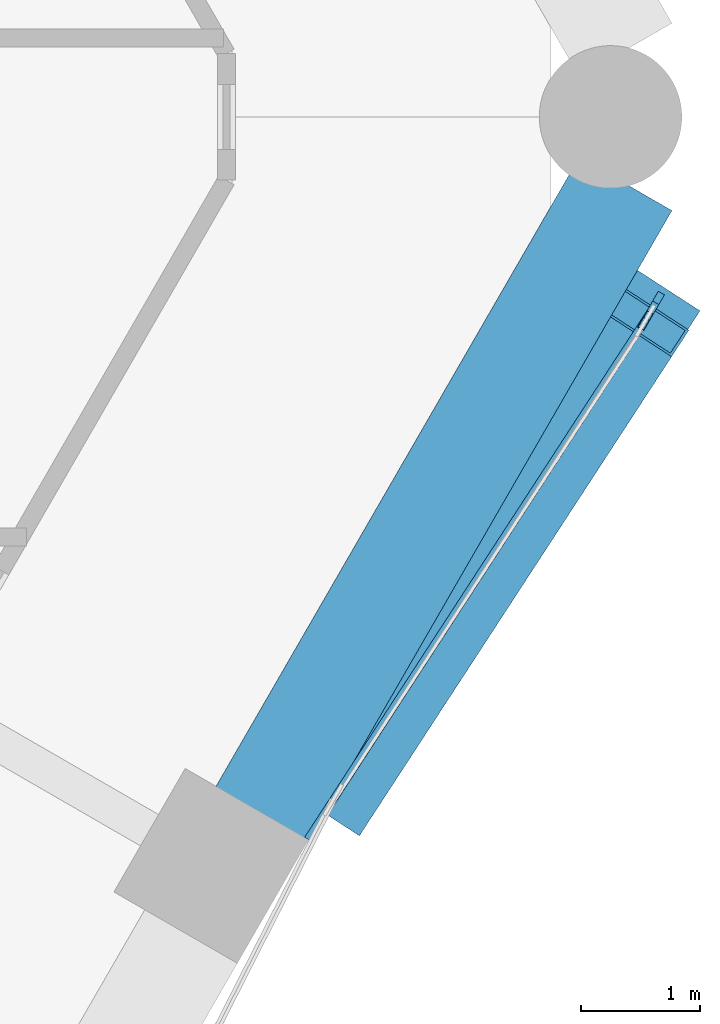
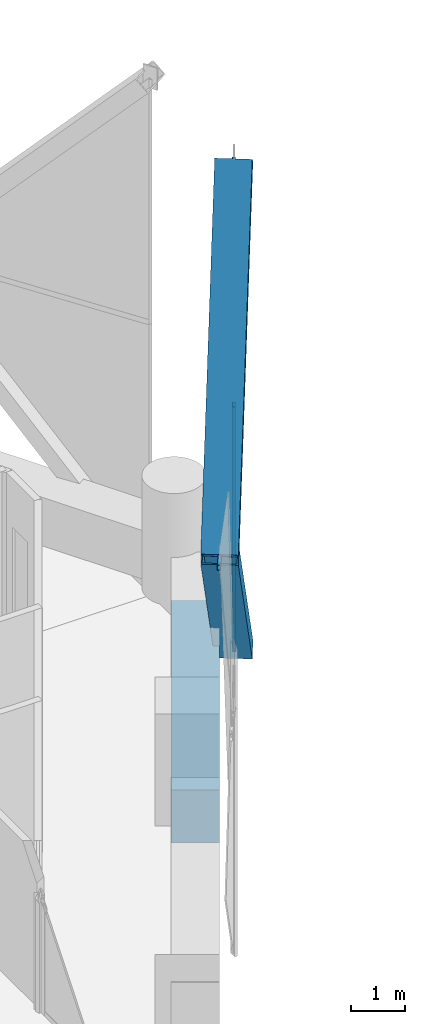
# One storey, part 15 of 38: 5 members, 1 beam, 2 elements without a shape of their own.
"""IFC4 building model written with IfcOpenShell, lengths in metres."""

from ifc_helpers import new_model, si_unit, direction, frame, origin, origin_2d, place, context, subcontext, project, spatial, rectangle, hollow_rectangle, extrude, material, material_profile, profile_set, type_object, element, aggregate, save


model = new_model("IFC4")

# Units and contexts
model_context = context("Model", 3, precision=1e-05, world=origin(), true_north=direction((0.0, 1.0)))
body_context = subcontext(model_context, "Body", "Model", "MODEL_VIEW")
ifc_project = project(units=[si_unit("LENGTHUNIT", "METRE"), si_unit("AREAUNIT", "SQUARE_METRE"), si_unit("VOLUMEUNIT", "CUBIC_METRE"), si_unit("PLANEANGLEUNIT", "RADIAN"), si_unit("MASSUNIT", "GRAM", prefix="KILO")], contexts=[model_context])

# Site, building, storey
site_placement = place(None, origin())
site = spatial("IfcSite", under=ifc_project, at=site_placement, CompositionType="ELEMENT")
building_placement = place(site_placement, origin())
building = spatial("IfcBuilding", under=site, at=building_placement, Name="Ostrander Bayou Hotel Tower", CompositionType="ELEMENT")
storey_placement = place(building_placement, frame((0.0, 0.0, 96.75)))
storey = spatial("IfcBuildingStorey", under=building, at=storey_placement, Name="L24", CompositionType="ELEMENT", Elevation=96.75)

# Curtain wall, members
ifc_material_1 = material(Name="Aluminium and clear glass", Category="aluminium")
curtain_wall_type = type_object("IfcCurtainWallType", Name="CW-LAT lattice glazing", PredefinedType="NOTDEFINED", material=ifc_material_1)
curtain_wall_1_placement = place(storey_placement, origin())
curtain_wall_1 = element("IfcCurtainWall", 1, at=curtain_wall_1_placement, inside=storey, type_object=curtain_wall_type, Name="CW-LAT L24 SE 1", PredefinedType="NOTDEFINED")
ifc_material_2 = material(Name="Aluminium", Category="aluminium")
ifc_material_profile_1 = material_profile(ifc_material_2, hollow_rectangle(XDim=0.06005859375, YDim=0.159912109375, WallThickness=0.00390625, at=origin_2d()))
ifc_profile_set_1 = profile_set([ifc_material_profile_1], Name="Aluminium")
member_type_1 = type_object("IfcMemberType", Name="CW-LA mullion 60 x 160 mm", PredefinedType="MULLION", material=ifc_profile_set_1)
member_1_placement = place(storey_placement, frame((22.761962890625, -1.715087890625, -0.60009765625), z_axis=(-0.008418945283, -0.014581266058, 0.999858243973), x_axis=(0.866013897511, -0.50001992892, 0.0)))
member_1 = element("IfcMember", 2, at=member_1_placement, type_object=member_type_1, Name="CW-LAT mullion 5", PredefinedType="MULLION", context=body_context, shape_type="SweptSolid", body=[
    extrude(hollow_rectangle(XDim=0.06005859375, YDim=0.159912109375, WallThickness=0.00390625, at=origin_2d()), origin(), (0.0, 0.0, 1.0), 5.625732421875),
])
member_2_placement = place(storey_placement, frame((22.714599609375, -1.797119140625, 5.02490234375), z_axis=(-0.008375557002, -0.014537883916, 0.999859240081), x_axis=(0.866486855147, -0.499199889682, 0.0)))
member_2 = element("IfcMember", 3, at=member_2_placement, type_object=member_type_1, Name="CW-LAT mullion 6", PredefinedType="MULLION", context=body_context, shape_type="SweptSolid", body=[
    extrude(hollow_rectangle(XDim=0.06005859375, YDim=0.159912109375, WallThickness=0.00390625, at=origin_2d()), origin(), (0.0, 0.0, 1.0), 5.625732421875),
])
aggregate(curtain_wall_1, [member_1, member_2])

# Curtain wall, member
curtain_wall_2_placement = place(storey_placement, origin())
curtain_wall_2 = element("IfcCurtainWall", 4, at=curtain_wall_2_placement, inside=storey, type_object=curtain_wall_type, Name="CW-LAT L24 SE 2", PredefinedType="NOTDEFINED")
ifc_material_3 = material(Name="Aluminium", Category="aluminium")
ifc_material_profile_2 = material_profile(ifc_material_3, hollow_rectangle(XDim=0.06005859375, YDim=0.1201171875, WallThickness=0.00390625, at=origin_2d()))
ifc_profile_set_2 = profile_set([ifc_material_profile_2], Name="Aluminium")
member_type_2 = type_object("IfcMemberType", Name="CW-LA transom 60 x 120 mm", PredefinedType="USERDEFINED", material=ifc_profile_set_2)
member_3_placement = place(storey_placement, frame((22.714599609375, -1.797119140625, 5.02490234375), z_axis=(-0.545056332293, -0.838399424276, 0.0), x_axis=(0.838399424276, -0.545056332293, 0.0)))
member_3 = element("IfcMember", 5, at=member_3_placement, type_object=member_type_2, Name="CW-LAT transom 7", ObjectType="TRANSOM", PredefinedType="USERDEFINED", context=body_context, shape_type="SweptSolid", body=[
    extrude(hollow_rectangle(XDim=0.06005859375, YDim=0.1201171875, WallThickness=0.00390625, at=origin_2d()), origin(), (0.0, 0.0, 1.0), 5.301513671875),
])
aggregate(curtain_wall_2, [member_3])

# Members
ifc_material_4 = material(Name="Steel ASTM A572 Gr 50", Category="steel")
ifc_material_profile_3 = material_profile(ifc_material_4, hollow_rectangle(XDim=0.699951171875, YDim=0.35009765625, WallThickness=0.02490234375, at=origin_2d()))
ifc_profile_set_3 = profile_set([ifc_material_profile_3], Name="Steel ASTM A572 Gr 50")
member_type_3 = type_object("IfcMemberType", Name="LT1 lattice member box 700 x 350 x 25 mm", PredefinedType="BRACE", material=ifc_profile_set_3)
member_4_placement = place(storey_placement, frame((20.039794921875, -5.911376953125, 5.02490234375), z_axis=(0.361641212677, 0.557478848743, -0.747283725567), x_axis=(-0.838938399755, 0.544226388019, 0.0)))
element("IfcMember", 6, at=member_4_placement, inside=storey, type_object=member_type_3, Name="LT1 L24 SE 1", PredefinedType="BRACE", context=body_context, shape_type="SweptSolid", body=[
    extrude(hollow_rectangle(XDim=0.699951171875, YDim=0.35009765625, WallThickness=0.02490234375, at=origin_2d()), origin(), (0.0, 0.0, 1.0), 7.52734375),
])
member_5_placement = place(storey_placement, frame((20.039794921875, -5.911376953125, 5.02490234375), z_axis=(0.354943020365, 0.544698863456, 0.759814846159), x_axis=(-0.837818412916, 0.545948996683, 0.0)))
element("IfcMember", 7, at=member_5_placement, inside=storey, type_object=member_type_3, Name="LT1 L24 SE 2", PredefinedType="BRACE", context=body_context, shape_type="SweptSolid", body=[
    extrude(hollow_rectangle(XDim=0.699951171875, YDim=0.35009765625, WallThickness=0.02490234375, at=origin_2d()), origin(), (0.0, 0.0, 1.0), 7.403076171875),
])

# Beam
ifc_material_5 = material(Name="Concrete f'c 70 MPa", Category="concrete")
ifc_material_profile_4 = material_profile(ifc_material_5, rectangle(XDim=0.89990234375, YDim=1.199951171875, at=origin_2d()))
ifc_profile_set_4 = profile_set([ifc_material_profile_4], Name="Concrete f'c 70 MPa")
beam_type = type_object("IfcBeamType", Name="SP2 spandrel beam 900 x 1200 mm f'c 70 MPa", PredefinedType="SPANDREL", material=ifc_profile_set_4)
beam_placement = place(storey_placement, frame((19.428955078125, -6.048095703125, -0.60009765625), z_axis=(0.500006801911, 0.866021476663, 0.0), x_axis=(-0.866021476663, 0.500006801911, 0.0)))
element("IfcBeam", 8, at=beam_placement, inside=storey, type_object=beam_type, Name="SP2 L24 SE-3", PredefinedType="SPANDREL", context=body_context, shape_type="SweptSolid", body=[
    extrude(rectangle(XDim=0.89990234375, YDim=1.199951171875, at=origin_2d()), origin(), (0.0, 0.0, 1.0), 6.14404296875),
])

save(model, "model.ifc")
